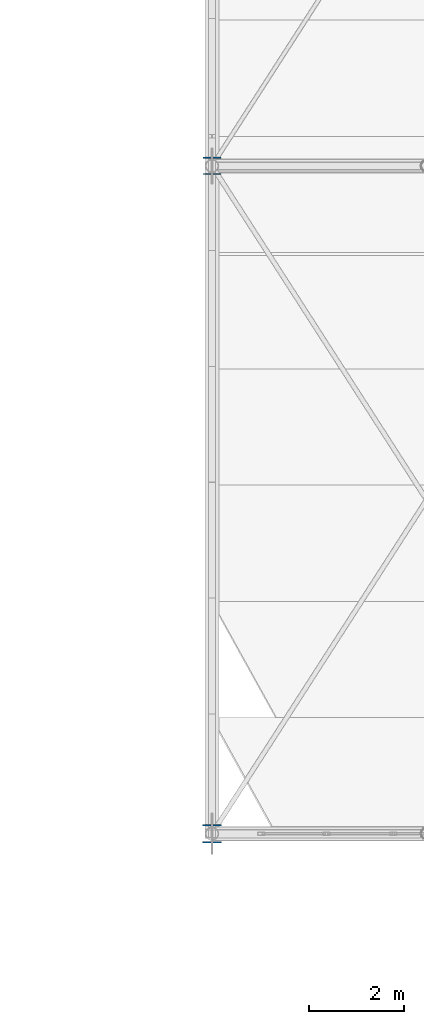
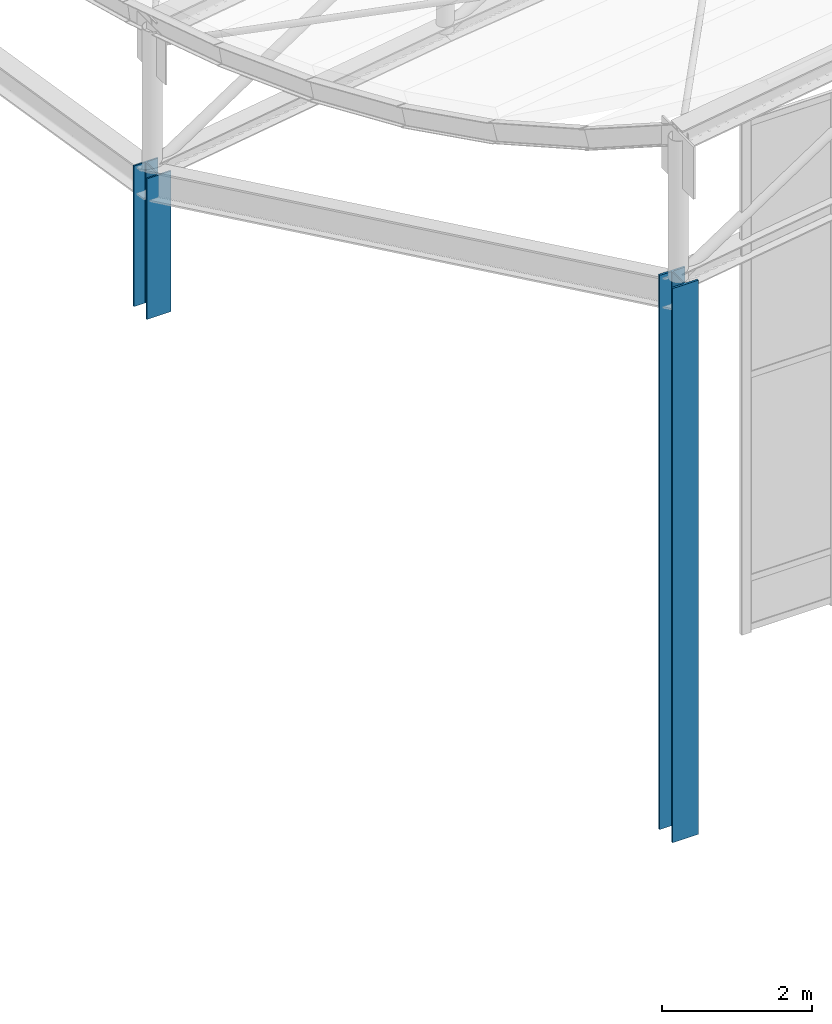
# One storey, part 7 of 262: 2 columns.
"""IFC4 building model written with IfcOpenShell, lengths in metres."""

from ifc_helpers import new_model, si_unit, derived_unit, direction, frame, origin, origin_2d, place, context, subcontext, project, spatial, i_section, extrude, material, material_profile, profile_set, type_object, element, save


model = new_model("IFC4")

# Units and contexts
model_context = context("Model", 3, precision=1e-05, world=origin(), true_north=direction((0.0, 1.0)))
body_context = subcontext(model_context, "Body", "Model", "MODEL_VIEW")
ifc_project = project(units=[si_unit("LENGTHUNIT", "METRE"), si_unit("AREAUNIT", "SQUARE_METRE"), si_unit("VOLUMEUNIT", "CUBIC_METRE"), si_unit("PLANEANGLEUNIT", "RADIAN"), si_unit("MASSUNIT", "GRAM", prefix="KILO"), derived_unit("THERMALTRANSMITTANCEUNIT", [(si_unit("POWERUNIT", "WATT"), 1), (si_unit("LENGTHUNIT", "METRE"), -2), (si_unit("THERMODYNAMICTEMPERATUREUNIT", "KELVIN"), -1)])], contexts=[model_context])

# Site, building, storey
site_placement = place(None, origin())
site = spatial("IfcSite", under=ifc_project, at=site_placement, CompositionType="ELEMENT")
building_placement = place(site_placement, origin())
building = spatial("IfcBuilding", under=site, at=building_placement, Name="Almenara Railside Exhibition Hall", CompositionType="ELEMENT")
storey_placement = place(building_placement, frame((0.0, 0.0, 21.699951171875)))
storey = spatial("IfcBuildingStorey", under=building, at=storey_placement, Name="RF", CompositionType="ELEMENT", Elevation=21.699951171875)

# Columns
ifc_material = material(Name="Structural steel S355JR", Category="steel")
ifc_material_profile_1 = material_profile(ifc_material, i_section(OverallWidth=0.37255859375, OverallDepth=0.3681640625, WebThickness=0.014404296875, FlangeThickness=0.023681640625, FilletRadius=0.01513671875, at=origin_2d()), Name="UC 356x368x177")
ifc_profile_set_1 = profile_set([ifc_material_profile_1], Name="Structural steel S355JR")
column_type_1 = type_object("IfcColumnType", Name="Steel Column UC 356x368x177 S355JR", PredefinedType="COLUMN", material=ifc_profile_set_1)
column_1_placement = place(storey_placement, frame((138.0, 48.0, -9.599853515625), z_axis=(0.0, 0.0, 1.0), x_axis=(1.0, 0.0, 0.0)))
element("IfcColumn", 1, at=column_1_placement, inside=storey, type_object=column_type_1, Name="V2 scroll portal column 2", PredefinedType="COLUMN", context=body_context, shape_type="SweptSolid", body=[
    extrude(i_section(OverallWidth=0.37255859375, OverallDepth=0.3681640625, WebThickness=0.014404296875, FlangeThickness=0.023681640625, FilletRadius=0.01513671875, at=origin_2d()), origin(), (0.0, 0.0, 1.0), 2.283447265625),
])
ifc_material_profile_2 = material_profile(ifc_material, i_section(OverallWidth=0.394775390625, OverallDepth=0.381103515625, WebThickness=0.018310546875, FlangeThickness=0.0302734375, FilletRadius=0.01513671875, at=origin_2d()), Name="UC 356x406x235")
ifc_profile_set_2 = profile_set([ifc_material_profile_2], Name="Structural steel S355JR")
column_type_2 = type_object("IfcColumnType", Name="Steel Column UC 356x406x235 S355JR", PredefinedType="COLUMN", material=ifc_profile_set_2)
column_2_placement = place(storey_placement, frame((138.0, 34.0, -9.599853515625), z_axis=(0.0, 0.0, 1.0), x_axis=(1.0, 0.0, 0.0)))
element("IfcColumn", 2, at=column_2_placement, inside=storey, type_object=column_type_2, Name="V2 scroll portal column 1", PredefinedType="COLUMN", context=body_context, shape_type="SweptSolid", body=[
    extrude(i_section(OverallWidth=0.394775390625, OverallDepth=0.381103515625, WebThickness=0.018310546875, FlangeThickness=0.0302734375, FilletRadius=0.01513671875, at=origin_2d()), origin(), (0.0, 0.0, 1.0), 9.0),
])

save(model, "model.ifc")
